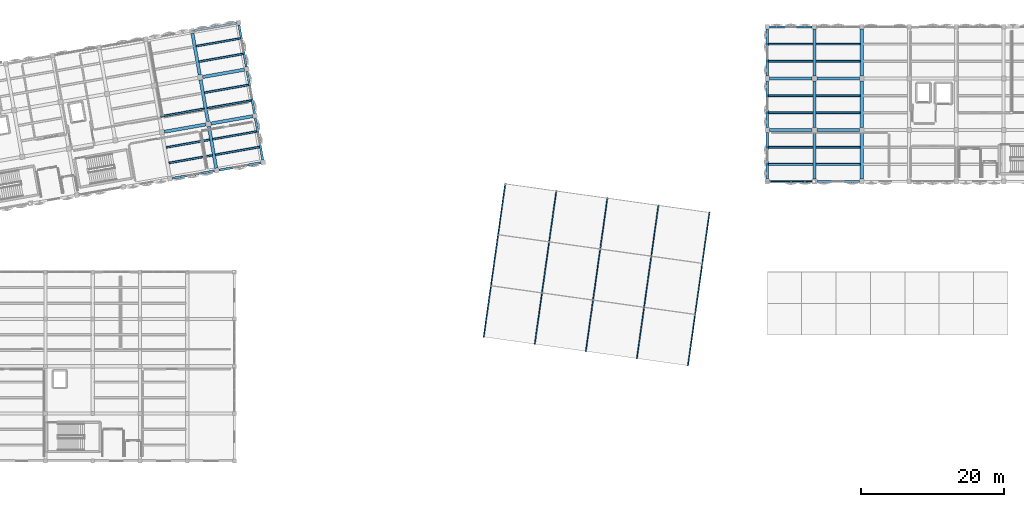
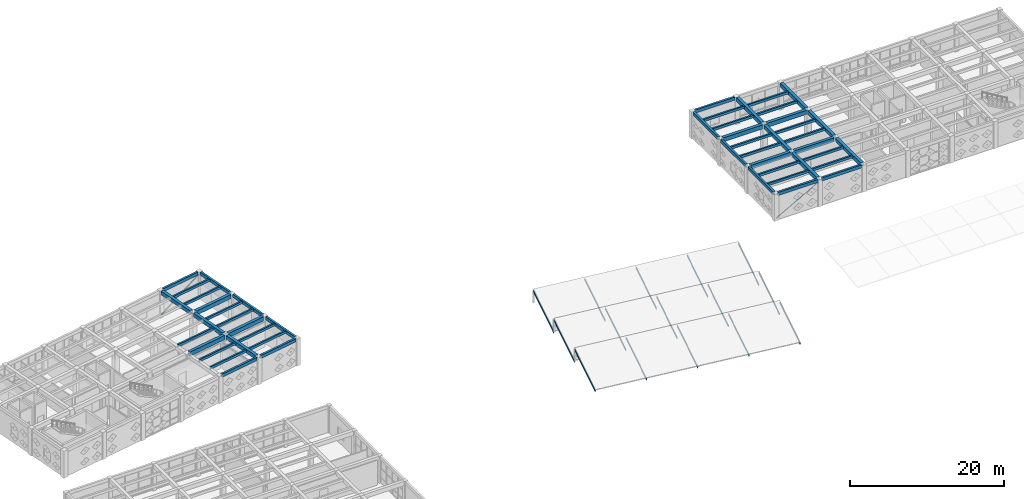
# One storey, part 18 of 48: 49 beams, 17 members.
"""IFC4 building model written with IfcOpenShell, lengths in metres."""

import ifcopenshell
import ifcopenshell.guid

model = None  # the IFC model being written
_history = None  # IfcOwnerHistory: only IFC2X3 demands one
_inside = {}  # id of a spatial element -> (the spatial element, [elements in it])
_under = {}  # id of a project, library or spatial element -> (it, [spatial elements below it])
_declared = {}  # id of a project -> (the project, [libraries it declares])
_typed = {}  # id of a type object -> (the type object, [elements of that type])
_made_of = {}  # id of a material, layer set ... -> (it, [elements and type objects made of it])


def new_model(schema):
    """Start an empty IFC model of exactly this schema.

    Asked for "IFC4X3", IfcOpenShell would pick the latest addendum, in which some entities
    have other attributes; the version numbers below select the first issue.
    IFC2X3 requires an IfcOwnerHistory on every rooted entity: one is made here for all.
    """
    global model, _history
    if schema == "IFC4X3":
        model = ifcopenshell.file(schema_version=(4, 3, 0, 0))
    else:
        model = ifcopenshell.file(schema=schema)
    _inside.clear()
    _under.clear()
    _declared.clear()
    _typed.clear()
    _made_of.clear()
    _history = None
    if model.schema == "IFC2X3":
        org = make("IfcOrganization", Name="unknown")
        user = make(
            "IfcPersonAndOrganization",
            ThePerson=make("IfcPerson", FamilyName="unknown"),
            TheOrganization=org,
        )
        app = make(
            "IfcApplication",
            ApplicationDeveloper=org,
            Version="unknown",
            ApplicationFullName="unknown",
            ApplicationIdentifier="unknown",
        )
        _history = make(
            "IfcOwnerHistory",
            OwningUser=user,
            OwningApplication=app,
            ChangeAction="ADDED",
            CreationDate=0,
        )
    return model


def make(cls, **values):
    """One entity of the class cls with the attributes given. An attribute that is None is left unset."""
    return model.create_entity(
        cls, **{name: value for name, value in values.items() if value is not None}
    )


def rooted(cls, **values):
    """An entity with a GlobalId (a new one), such as an element, a storey or a relation."""
    return make(cls, GlobalId=ifcopenshell.guid.new(), OwnerHistory=_history, **values)


def si_unit(unit_type, name, prefix=None):
    """IfcSIUnit, for example si_unit("LENGTHUNIT", "METRE", prefix="MILLI")."""
    return make("IfcSIUnit", UnitType=unit_type, Prefix=prefix, Name=name)


def assignment(units):
    """IfcUnitAssignment: the units of a project."""
    return None if units is None else make("IfcUnitAssignment", Units=units)


def point(xyz):
    """IfcCartesianPoint."""
    return None if xyz is None else make("IfcCartesianPoint", Coordinates=xyz)


def direction(xyz):
    """IfcDirection."""
    return None if xyz is None else make("IfcDirection", DirectionRatios=xyz)


def frame(location, z_axis=None, x_axis=None):
    """IfcAxis2Placement3D, a coordinate frame: its origin and axes. An axis left out is left unset."""
    return make(
        "IfcAxis2Placement3D",
        Location=point(location),
        Axis=direction(z_axis),
        RefDirection=direction(x_axis),
    )


def frame_2d(location, x_axis=None):
    """IfcAxis2Placement2D, a coordinate frame in the plane: its origin and x axis."""
    return make(
        "IfcAxis2Placement2D", Location=point(location), RefDirection=direction(x_axis)
    )


def origin():
    """The frame at (0, 0, 0) with its axes left unset."""
    return frame((0.0, 0.0, 0.0))


def origin_2d():
    """The frame at (0, 0) in the plane with its x axis left unset."""
    return frame_2d((0.0, 0.0))


def place(relative_to, where):
    """IfcLocalPlacement: puts the frame where relative to a parent placement (None: the world)."""
    return make(
        "IfcLocalPlacement", PlacementRelTo=relative_to, RelativePlacement=where
    )


def context(
    kind, dimensions, precision=None, world=None, true_north=None, identifier=None
):
    """IfcGeometricRepresentationContext, for example the 3D "Model" context."""
    return make(
        "IfcGeometricRepresentationContext",
        ContextIdentifier=identifier,
        ContextType=kind,
        CoordinateSpaceDimension=dimensions,
        Precision=precision,
        WorldCoordinateSystem=world,
        TrueNorth=true_north,
    )


def subcontext(parent, identifier, kind, view, scale=None):
    """IfcGeometricRepresentationSubContext, for example "Body" below "Model"."""
    return make(
        "IfcGeometricRepresentationSubContext",
        ContextIdentifier=identifier,
        ContextType=kind,
        ParentContext=parent,
        TargetScale=scale,
        TargetView=view,
    )


def project(units=None, contexts=None):
    """IfcProject with its units and contexts."""
    return rooted(
        "IfcProject",
        Name="project",
        RepresentationContexts=contexts,
        UnitsInContext=assignment(units),
    )


def spatial(cls, under=None, at=None, **own):
    """A site, building, storey or space (cls), placed at a placement, below another one or the project."""
    s = rooted(cls, ObjectPlacement=at, **own)
    if under is not None:
        _under.setdefault(under.id(), (under, []))[1].append(s)
    return s


def profile(cls, at=None, kind="AREA", **sizes):
    """A parametric profile (cls). Its sizes go by their IFC names, for example OverallWidth=200.0."""
    return make(cls, ProfileType=kind, Position=at, **sizes)


def rectangle(**sizes):
    """IfcRectangleProfileDef."""
    return profile("IfcRectangleProfileDef", **sizes)


def hollow_circle(**sizes):
    """IfcCircleHollowProfileDef."""
    return profile("IfcCircleHollowProfileDef", **sizes)


def i_section(**sizes):
    """IfcIShapeProfileDef."""
    return profile("IfcIShapeProfileDef", **sizes)


def extrude(swept, where, along, depth):
    """IfcExtrudedAreaSolid: the profile swept, set in the frame where, extruded along a direction by depth."""
    return make(
        "IfcExtrudedAreaSolid",
        SweptArea=swept,
        Position=where,
        ExtrudedDirection=direction(along),
        Depth=depth,
    )


def shape(context_of_items, identifier, shape_type, items):
    """IfcShapeRepresentation: the items that make up one representation, for example the "Body"."""
    return make(
        "IfcShapeRepresentation",
        ContextOfItems=context_of_items,
        RepresentationIdentifier=identifier,
        RepresentationType=shape_type,
        Items=items,
    )


def material(Name=None, Category=None):
    """IfcMaterial."""
    return make("IfcMaterial", Name=Name, Category=Category)


def material_profile(
    of_material, cross_section, Name=None, Category=None, Priority=None
):
    """IfcMaterialProfile: a cross section and its material."""
    return make(
        "IfcMaterialProfile",
        Name=Name,
        Material=of_material,
        Profile=cross_section,
        Priority=Priority,
        Category=Category,
    )


def profile_set(profiles, Name=None, composite=None):
    """IfcMaterialProfileSet."""
    return make(
        "IfcMaterialProfileSet",
        Name=Name,
        MaterialProfiles=profiles,
        CompositeProfile=composite,
    )


def made_of(thing, what):
    """Note that an element or type object is made of a material, layer set ...; save() writes the relation."""
    if what is not None:
        _made_of.setdefault(what.id(), (what, []))[1].append(thing)
    return thing


def type_object(cls, material=None, **own):
    """A type object (cls), such as IfcWallType, which elements share."""
    return made_of(rooted(cls, **own), material)


def element(
    cls,
    number,
    at=None,
    inside=None,
    cuts=None,
    type_object=None,
    material=None,
    context=None,
    identifier="Body",
    shape_type=None,
    held_by="IfcProductDefinitionShape",
    body=None,
    shapes=None,
    **own,
):
    """One element of the class cls, such as IfcWall. Its Tag is "e" and its number.

    at: its placement. inside: the storey or other place that contains it. cuts: it is an
    opening in that element (IfcRelVoidsElement). A single representation is given by context,
    identifier, shape_type and body (its items); several are given by shapes. held_by: the class
    of the entity that holds the representations. save() writes the other relations.
    """
    e = rooted(cls, Tag="e%d" % number, ObjectPlacement=at, **own)
    if body is not None:
        shapes = [shape(context, identifier, shape_type, body)]
    if shapes is not None:
        e.Representation = make(held_by, Representations=shapes)
    if inside is not None:
        _inside.setdefault(inside.id(), (inside, []))[1].append(e)
    if cuts is not None:
        rooted(
            "IfcRelVoidsElement", RelatingBuildingElement=cuts, RelatedOpeningElement=e
        )
    if type_object is not None:
        _typed.setdefault(type_object.id(), (type_object, []))[1].append(e)
    return made_of(e, material)


def aggregate(whole, parts):
    """IfcRelAggregates: a whole, such as a stair, and the parts it consists of."""
    return rooted("IfcRelAggregates", RelatingObject=whole, RelatedObjects=parts)


def save(model, path):
    """Write the relations noted so far, then the file.

    IfcRelAggregates (storeys below a building ...), IfcRelContainedInSpatialStructure (elements
    in a storey), IfcRelDefinesByType, IfcRelAssociatesMaterial and IfcRelDeclares: one each for
    every whole, place, type object, material and project.
    """
    for whole, parts in _under.values():
        aggregate(whole, parts)
    for where, things in _inside.values():
        rooted(
            "IfcRelContainedInSpatialStructure",
            RelatedElements=things,
            RelatingStructure=where,
        )
    for kind, things in _typed.values():
        rooted("IfcRelDefinesByType", RelatedObjects=things, RelatingType=kind)
    for what, things in _made_of.values():
        rooted("IfcRelAssociatesMaterial", RelatedObjects=things, RelatingMaterial=what)
    for by, libraries in _declared.values():
        rooted("IfcRelDeclares", RelatingContext=by, RelatedDefinitions=libraries)
    model.write(path)


model = new_model("IFC4")

# Units and contexts
model_context = context("Model", 3, precision=1e-05, world=origin(), true_north=direction((0.0, 1.0)))
body_context = subcontext(model_context, "Body", "Model", "MODEL_VIEW")
ifc_project = project(units=[si_unit("LENGTHUNIT", "METRE"), si_unit("AREAUNIT", "SQUARE_METRE"), si_unit("VOLUMEUNIT", "CUBIC_METRE"), si_unit("PLANEANGLEUNIT", "RADIAN"), si_unit("MASSUNIT", "GRAM", prefix="KILO")], contexts=[model_context])

# Site, building, storey
site_placement = place(None, origin())
site = spatial("IfcSite", under=ifc_project, at=site_placement, CompositionType="ELEMENT")
building_placement = place(site_placement, origin())
building = spatial("IfcBuilding", under=site, at=building_placement, Name="Kharisveld Research Institute", CompositionType="ELEMENT")
storey_placement = place(building_placement, frame((0.0, 0.0, 14.10009765625)))
storey = spatial("IfcBuildingStorey", under=building, at=storey_placement, Name="L03", CompositionType="ELEMENT", Elevation=14.10009765625)

# Beams
ifc_material_1 = material(Name="Concrete C40/50", Category="concrete")
ifc_material_profile_1 = material_profile(ifc_material_1, rectangle(XDim=0.449951171875, YDim=0.60009765625, at=origin_2d()))
ifc_profile_set_1 = profile_set([ifc_material_profile_1], Name="Concrete C40/50")
beam_type_1 = type_object("IfcBeamType", Name="BM_RC_450x600", PredefinedType="BEAM", material=ifc_profile_set_1)
beam_1_placement = place(storey_placement, frame((37.642333984375, 41.060546875, 4.010009765625), z_axis=(-0.173679554678, 0.984802219883, 0.0), x_axis=(-0.984802219883, -0.173679554678, 0.0)))
element("IfcBeam", 1, at=beam_1_placement, inside=storey, type_object=beam_type_1, Name="BM:V1:L03:V5_0", PredefinedType="BEAM", context=body_context, shape_type="SweptSolid", body=[
    extrude(rectangle(XDim=0.449951171875, YDim=0.60009765625, at=origin_2d()), origin(), (0.0, 0.0, 1.0), 5.925048828125),
])
beam_2_placement = place(storey_placement, frame((36.49169921875, 47.584716796875, 4.010009765625), z_axis=(-0.173624815763, 0.98481187206, 0.0), x_axis=(-0.98481187206, -0.173624815763, 0.0)))
element("IfcBeam", 2, at=beam_2_placement, inside=storey, type_object=beam_type_1, Name="BM:V1:L03:V5_1", PredefinedType="BEAM", context=body_context, shape_type="SweptSolid", body=[
    extrude(rectangle(XDim=0.449951171875, YDim=0.60009765625, at=origin_2d()), origin(), (0.0, 0.0, 1.0), 5.900146484375),
])
beam_3_placement = place(storey_placement, frame((35.345703125, 54.08447265625, 4.010009765625), z_axis=(-0.173639592071, 0.984809266846, 0.0), x_axis=(-0.984809266846, -0.173639592071, 0.0)))
element("IfcBeam", 3, at=beam_3_placement, inside=storey, type_object=beam_type_1, Name="BM:V1:L03:V5_2", PredefinedType="BEAM", context=body_context, shape_type="SweptSolid", body=[
    extrude(rectangle(XDim=0.449951171875, YDim=0.60009765625, at=origin_2d()), origin(), (0.0, 0.0, 1.0), 5.925048828125),
])
beam_4_placement = place(storey_placement, frame((121.199951171875, 39.52490234375, 3.989990234375), z_axis=(0.0, 1.0, 0.0), x_axis=(-1.0, 0.0, 0.0)))
element("IfcBeam", 4, at=beam_4_placement, inside=storey, type_object=beam_type_1, Name="BM:V2:L03:V1_0", PredefinedType="BEAM", context=body_context, shape_type="SweptSolid", body=[
    extrude(rectangle(XDim=0.449951171875, YDim=0.60009765625, at=origin_2d()), origin(), (0.0, 0.0, 1.0), 6.550048828125),
])
beam_5_placement = place(storey_placement, frame((121.199951171875, 46.72509765625, 3.989990234375), z_axis=(0.0, 1.0, 0.0), x_axis=(-1.0, 0.0, 0.0)))
element("IfcBeam", 5, at=beam_5_placement, inside=storey, type_object=beam_type_1, Name="BM:V2:L03:V1_1", PredefinedType="BEAM", context=body_context, shape_type="SweptSolid", body=[
    extrude(rectangle(XDim=0.449951171875, YDim=0.60009765625, at=origin_2d()), origin(), (0.0, 0.0, 1.0), 6.5498046875),
])
for number, where, z_axis, x_axis, name in (
    (6, (121.199951171875, 53.925048828125, 3.989990234375), (0.0, 1.0, 0.0), (-1.0, 0.0, 0.0), "BM:V2:L03:V1_2"),
    (7, (127.800048828125, 39.52490234375, 3.989990234375), (0.0, 1.0, 0.0), (-1.0, 0.0, 0.0), "BM:V2:L03:V2_0"),
):
    element("IfcBeam", number, at=place(storey_placement, frame(where, z_axis=z_axis, x_axis=x_axis)), inside=storey, type_object=beam_type_1, Name=name, PredefinedType="BEAM", context=body_context, shape_type="SweptSolid", body=[
        extrude(rectangle(XDim=0.449951171875, YDim=0.60009765625, at=origin_2d()), origin(), (0.0, 0.0, 1.0), 6.550048828125),
    ])
beam_6_placement = place(storey_placement, frame((127.800048828125, 46.72509765625, 3.989990234375), z_axis=(0.0, 1.0, 0.0), x_axis=(-1.0, 0.0, 0.0)))
element("IfcBeam", 8, at=beam_6_placement, inside=storey, type_object=beam_type_1, Name="BM:V2:L03:V2_1", PredefinedType="BEAM", context=body_context, shape_type="SweptSolid", body=[
    extrude(rectangle(XDim=0.449951171875, YDim=0.60009765625, at=origin_2d()), origin(), (0.0, 0.0, 1.0), 6.5498046875),
])
beam_7_placement = place(storey_placement, frame((127.800048828125, 53.925048828125, 3.989990234375), z_axis=(0.0, 1.0, 0.0), x_axis=(-1.0, 0.0, 0.0)))
element("IfcBeam", 9, at=beam_7_placement, inside=storey, type_object=beam_type_1, Name="BM:V2:L03:V2_2", PredefinedType="BEAM", context=body_context, shape_type="SweptSolid", body=[
    extrude(rectangle(XDim=0.449951171875, YDim=0.60009765625, at=origin_2d()), origin(), (0.0, 0.0, 1.0), 6.550048828125),
])
ifc_material_2 = material(Name="Concrete C40/50", Category="concrete")
ifc_material_profile_2 = material_profile(ifc_material_2, rectangle(XDim=0.449951171875, YDim=0.64990234375, at=origin_2d()))
ifc_profile_set_2 = profile_set([ifc_material_profile_2], Name="Concrete C40/50")
beam_type_2 = type_object("IfcBeamType", Name="BM_RC_450x650", PredefinedType="BEAM", material=ifc_profile_set_2)
beam_8_placement = place(storey_placement, frame((30.3974609375, 46.15478515625, 3.98486328125), z_axis=(0.98480479605, 0.173664946598, 0.0), x_axis=(-0.173664946598, 0.98480479605, 0.0)))
element("IfcBeam", 10, at=beam_8_placement, inside=storey, type_object=beam_type_2, Name="BM:V1:L03:U4_1", PredefinedType="BEAM", context=body_context, shape_type="SweptSolid", body=[
    extrude(rectangle(XDim=0.449951171875, YDim=0.64990234375, at=origin_2d()), origin(), (0.0, 0.0, 1.0), 5.900146484375),
])
for number, where, z_axis, x_axis, name in (
    (11, (36.897216796875, 47.30078125, 3.98486328125), (0.984802219883, 0.173679554678, 0.0), (-0.173679554678, 0.984802219883, 0.0), "BM:V1:L03:U5_1"),
    (12, (35.751220703125, 53.800537109375, 3.98486328125), (0.984802219883, 0.173679554678, 0.0), (-0.173679554678, 0.984802219883, 0.0), "BM:V1:L03:U5_2"),
):
    element("IfcBeam", number, at=place(storey_placement, frame(where, z_axis=z_axis, x_axis=x_axis)), inside=storey, type_object=beam_type_2, Name=name, PredefinedType="BEAM", context=body_context, shape_type="SweptSolid", body=[
        extrude(rectangle(XDim=0.449951171875, YDim=0.64990234375, at=origin_2d()), origin(), (0.0, 0.0, 1.0), 5.925048828125),
    ])
beam_9_placement = place(storey_placement, frame((114.925048828125, 46.39990234375, 3.96484375), z_axis=(1.0, 0.0, 0.0), x_axis=(0.0, 1.0, 0.0)))
element("IfcBeam", 13, at=beam_9_placement, inside=storey, type_object=beam_type_2, Name="BM:V2:L03:U0_1", PredefinedType="BEAM", context=body_context, shape_type="SweptSolid", body=[
    extrude(rectangle(XDim=0.449951171875, YDim=0.64990234375, at=origin_2d()), origin(), (0.0, 0.0, 1.0), 5.949951171875),
])
beam_10_placement = place(storey_placement, frame((121.52490234375, 46.39990234375, 3.96484375), z_axis=(1.0, 0.0, 0.0), x_axis=(0.0, 1.0, 0.0)))
element("IfcBeam", 14, at=beam_10_placement, inside=storey, type_object=beam_type_2, Name="BM:V2:L03:U1_1", PredefinedType="BEAM", context=body_context, shape_type="SweptSolid", body=[
    extrude(rectangle(XDim=0.449951171875, YDim=0.64990234375, at=origin_2d()), origin(), (0.0, 0.0, 1.0), 5.9501953125),
])
beam_11_placement = place(storey_placement, frame((114.925048828125, 53.60009765625, 3.96484375), z_axis=(1.0, 0.0, 0.0), x_axis=(0.0, 1.0, 0.0)))
element("IfcBeam", 15, at=beam_11_placement, inside=storey, type_object=beam_type_2, Name="BM:V2:L03:U0_2", PredefinedType="BEAM", context=body_context, shape_type="SweptSolid", body=[
    extrude(rectangle(XDim=0.449951171875, YDim=0.64990234375, at=origin_2d()), origin(), (0.0, 0.0, 1.0), 5.949951171875),
])
beam_12_placement = place(storey_placement, frame((121.52490234375, 53.60009765625, 3.96484375), z_axis=(1.0, 0.0, 0.0), x_axis=(0.0, 1.0, 0.0)))
element("IfcBeam", 16, at=beam_12_placement, inside=storey, type_object=beam_type_2, Name="BM:V2:L03:U1_2", PredefinedType="BEAM", context=body_context, shape_type="SweptSolid", body=[
    extrude(rectangle(XDim=0.449951171875, YDim=0.64990234375, at=origin_2d()), origin(), (0.0, 0.0, 1.0), 5.9501953125),
])

# Members
ifc_material_3 = material(Name="Steel S355J2H", Category="steel")
ifc_material_profile_3 = material_profile(ifc_material_3, hollow_circle(Radius=0.06982421875, WallThickness=0.00634765625, at=origin_2d()))
ifc_profile_set_3 = profile_set([ifc_material_profile_3], Name="Steel S355J2H")
member_type_1 = type_object("IfcMemberType", Name="BR_CHS140", PredefinedType="BRACE", material=ifc_profile_set_3)
member_1_placement = place(storey_placement, frame((114.699951171875, 39.199951171875, 0.199951171875), z_axis=(0.875061115432, 0.0, 0.484012442257), x_axis=(0.0, 1.0, 0.0)))
element("IfcMember", 17, at=member_1_placement, inside=storey, type_object=member_type_1, Name="MEM:V2:L03:BR_0_0", PredefinedType="BRACE", context=body_context, shape_type="SweptSolid", body=[
    extrude(hollow_circle(Radius=0.06982421875, WallThickness=0.00634765625, at=origin_2d()), origin(), (0.0, 0.0, 1.0), 7.31396484375),
])
ifc_material_4 = material(Name="Steel S355J2H", Category="steel")
ifc_material_profile_4 = material_profile(ifc_material_4, hollow_circle(Radius=0.109619140625, WallThickness=0.010009765625, at=origin_2d()))
ifc_profile_set_4 = profile_set([ifc_material_profile_4], Name="Steel S355J2H")
member_type_2 = type_object("IfcMemberType", Name="BR_CHS219", PredefinedType="BRACE", material=ifc_profile_set_4)
member_2_placement = place(storey_placement, frame((34.35888671875, 60.2568359375, 0.199951171875), z_axis=(0.860614431418, 0.151780969408, 0.486112474393), x_axis=(-0.173683053068, 0.984801602901, 0.0)))
element("IfcMember", 18, at=member_2_placement, inside=storey, type_object=member_type_2, Name="MEM:V1:L03:BR_5_3", PredefinedType="BRACE", context=body_context, shape_type="SweptSolid", body=[
    extrude(hollow_circle(Radius=0.109619140625, WallThickness=0.010009765625, at=origin_2d()), origin(), (0.0, 0.0, 1.0), 7.323486328125),
])
ifc_material_5 = material(Name="Steel S355JR", Category="steel")
ifc_material_profile_5 = material_profile(ifc_material_5, i_section(OverallWidth=0.1201171875, OverallDepth=0.239990234375, WebThickness=0.006103515625, FlangeThickness=0.009765625, at=origin_2d()))
ifc_profile_set_5 = profile_set([ifc_material_profile_5], Name="Steel S355JR")
member_type_3 = type_object("IfcMemberType", Name="RF_IPE240", PredefinedType="RAFTER", material=ifc_profile_set_5)
for number, where, z_axis, x_axis, name in (
    (19, (75.0, 17.5, -0.295166015625), (0.134084336603, 0.954142048283, 0.267645927254), (-0.990269725511, 0.139161311926, 0.0), "MEM:V4:L03:RAF_0_0"),
    (20, (82.1298828125, 16.498046875, -0.295166015625), (0.134116420624, 0.954137867941, 0.267644754629), (-0.99026505211, 0.139194563721, 0.0), "MEM:V4:L03:RAF_0_1"),
    (21, (89.259765625, 15.495849609375, -0.295166015625), (0.134116420624, 0.954137867941, 0.267644754629), (-0.99026505211, 0.139194563721, 0.0), "MEM:V4:L03:RAF_0_2"),
    (22, (96.389892578125, 14.493896484375, -0.295166015625), (0.134084336603, 0.954142048283, 0.267645927254), (-0.990269725511, 0.139161311926, 0.0), "MEM:V4:L03:RAF_0_3"),
):
    element("IfcMember", number, at=place(storey_placement, frame(where, z_axis=z_axis, x_axis=x_axis)), inside=storey, type_object=member_type_3, Name=name, PredefinedType="RAFTER", context=body_context, shape_type="SweptSolid", body=[
        extrude(i_section(OverallWidth=0.1201171875, OverallDepth=0.239990234375, WebThickness=0.006103515625, FlangeThickness=0.009765625, at=origin_2d()), origin(), (0.0, 0.0, 1.0), 7.47265625),
    ])
member_3_placement = place(storey_placement, frame((103.519775390625, 13.49169921875, -0.295166015625), z_axis=(0.134080156866, 0.954144975947, 0.267637584077), x_axis=(-0.990270382149, 0.139156639217, 0.0)))
element("IfcMember", 23, at=member_3_placement, inside=storey, type_object=member_type_3, Name="MEM:V4:L03:RAF_0_4", PredefinedType="RAFTER", context=body_context, shape_type="SweptSolid", body=[
    extrude(i_section(OverallWidth=0.1201171875, OverallDepth=0.239990234375, WebThickness=0.006103515625, FlangeThickness=0.009765625, at=origin_2d()), origin(), (0.0, 0.0, 1.0), 7.472900390625),
])
for number, where, z_axis, x_axis, name in (
    (24, (76.001953125, 24.6298828125, -0.295166015625), (0.134116420624, 0.954137867941, 0.267644754629), (-0.99026505211, 0.139194563721, 0.0), "MEM:V4:L03:RAF_1_0"),
    (25, (83.132080078125, 23.6279296875, -0.295166015625), (0.134084336603, 0.954142048283, 0.267645927254), (-0.990269725511, 0.139161311926, 0.0), "MEM:V4:L03:RAF_1_1"),
):
    element("IfcMember", number, at=place(storey_placement, frame(where, z_axis=z_axis, x_axis=x_axis)), inside=storey, type_object=member_type_3, Name=name, PredefinedType="RAFTER", context=body_context, shape_type="SweptSolid", body=[
        extrude(i_section(OverallWidth=0.1201171875, OverallDepth=0.239990234375, WebThickness=0.006103515625, FlangeThickness=0.009765625, at=origin_2d()), origin(), (0.0, 0.0, 1.0), 7.47265625),
    ])
member_4_placement = place(storey_placement, frame((90.261962890625, 22.625732421875, -0.295166015625), z_axis=(0.134080156866, 0.954144975947, 0.267637584077), x_axis=(-0.990270382149, 0.139156639217, 0.0)))
element("IfcMember", 26, at=member_4_placement, inside=storey, type_object=member_type_3, Name="MEM:V4:L03:RAF_1_2", PredefinedType="RAFTER", context=body_context, shape_type="SweptSolid", body=[
    extrude(i_section(OverallWidth=0.1201171875, OverallDepth=0.239990234375, WebThickness=0.006103515625, FlangeThickness=0.009765625, at=origin_2d()), origin(), (0.0, 0.0, 1.0), 7.472900390625),
])
for number, where, z_axis, x_axis, name in (
    (27, (97.391845703125, 21.623779296875, -0.295166015625), (0.134084336603, 0.954142048283, 0.267645927254), (-0.990269725511, 0.139161311926, 0.0), "MEM:V4:L03:RAF_1_3"),
    (28, (104.521728515625, 20.621826171875, -0.295166015625), (0.134116420624, 0.954137867941, 0.267644754629), (-0.99026505211, 0.139194563721, 0.0), "MEM:V4:L03:RAF_1_4"),
):
    element("IfcMember", number, at=place(storey_placement, frame(where, z_axis=z_axis, x_axis=x_axis)), inside=storey, type_object=member_type_3, Name=name, PredefinedType="RAFTER", context=body_context, shape_type="SweptSolid", body=[
        extrude(i_section(OverallWidth=0.1201171875, OverallDepth=0.239990234375, WebThickness=0.006103515625, FlangeThickness=0.009765625, at=origin_2d()), origin(), (0.0, 0.0, 1.0), 7.47265625),
    ])
member_5_placement = place(storey_placement, frame((77.004150390625, 31.759765625, -0.295166015625), z_axis=(0.134080156866, 0.954144975947, 0.267637584077), x_axis=(-0.990270382149, 0.139156639217, 0.0)))
element("IfcMember", 29, at=member_5_placement, inside=storey, type_object=member_type_3, Name="MEM:V4:L03:RAF_2_0", PredefinedType="RAFTER", context=body_context, shape_type="SweptSolid", body=[
    extrude(i_section(OverallWidth=0.1201171875, OverallDepth=0.239990234375, WebThickness=0.006103515625, FlangeThickness=0.009765625, at=origin_2d()), origin(), (0.0, 0.0, 1.0), 7.472900390625),
])
for number, where, z_axis, x_axis, name in (
    (30, (84.134033203125, 30.7578125, -0.295166015625), (0.134084336603, 0.954142048283, 0.267645927254), (-0.990269725511, 0.139161311926, 0.0), "MEM:V4:L03:RAF_2_1"),
    (31, (91.263916015625, 29.755859375, -0.295166015625), (0.134116420624, 0.954137867941, 0.267644754629), (-0.99026505211, 0.139194563721, 0.0), "MEM:V4:L03:RAF_2_2"),
    (32, (98.393798828125, 28.753662109375, -0.295166015625), (0.134116420624, 0.954137867941, 0.267644754629), (-0.99026505211, 0.139194563721, 0.0), "MEM:V4:L03:RAF_2_3"),
    (33, (105.52392578125, 27.751708984375, -0.295166015625), (0.134084336603, 0.954142048283, 0.267645927254), (-0.990269725511, 0.139161311926, 0.0), "MEM:V4:L03:RAF_2_4"),
):
    element("IfcMember", number, at=place(storey_placement, frame(where, z_axis=z_axis, x_axis=x_axis)), inside=storey, type_object=member_type_3, Name=name, PredefinedType="RAFTER", context=body_context, shape_type="SweptSolid", body=[
        extrude(i_section(OverallWidth=0.1201171875, OverallDepth=0.239990234375, WebThickness=0.006103515625, FlangeThickness=0.009765625, at=origin_2d()), origin(), (0.0, 0.0, 1.0), 7.47265625),
    ])

# Beams
ifc_material_6 = material(Name="Concrete C40/50", Category="concrete")
ifc_material_profile_6 = material_profile(ifc_material_6, rectangle(XDim=0.300048828125, YDim=0.5, at=origin_2d()))
ifc_profile_set_6 = profile_set([ifc_material_profile_6], Name="Concrete C40/50")
beam_type_3 = type_object("IfcBeamType", Name="SP_RC_300x500", PredefinedType="SPANDREL", material=ifc_profile_set_6)
for number, where, z_axis, x_axis, name in (
    (34, (31.51904296875, 39.650634765625, 4.059814453125), (0.984807920462, 0.173647228007, 0.0), (-0.173647228007, 0.984807920462, 0.0), "BM:V1:L03:U4_0"),
    (35, (38.018798828125, 40.796875, 4.059814453125), (0.984807920462, 0.173647228007, 0.0), (-0.173647228007, 0.984807920462, 0.0), "BM:V1:L03:U5_0"),
    (36, (34.58056640625, 60.2958984375, 4.059814453125), (0.984800902868, 0.173687022284, 0.0), (-0.173687022284, 0.984800902868, 0.0), "BM:V1:L03:U5_3"),
    (37, (44.141845703125, 42.20654296875, 4.059814453125), (-0.173647228007, 0.984807920462, 0.0), (-0.984807920462, -0.173647228007, 0.0), "BM:V1:L03:V6_0"),
    (38, (42.995849609375, 48.706298828125, 4.059814453125), (-0.173647228007, 0.984807920462, 0.0), (-0.984807920462, -0.173647228007, 0.0), "BM:V1:L03:V6_1"),
    (39, (41.849853515625, 55.2060546875, 4.059814453125), (-0.173647228007, 0.984807920462, 0.0), (-0.984807920462, -0.173647228007, 0.0), "BM:V1:L03:V6_2"),
    (40, (114.925048828125, 39.199951171875, 4.039794921875), (1.0, 0.0, 0.0), (0.0, 1.0, 0.0), "BM:V2:L03:U0_0"),
):
    element("IfcBeam", number, at=place(storey_placement, frame(where, z_axis=z_axis, x_axis=x_axis)), inside=storey, type_object=beam_type_3, Name=name, PredefinedType="SPANDREL", context=body_context, shape_type="SweptSolid", body=[
        extrude(rectangle(XDim=0.300048828125, YDim=0.5, at=origin_2d()), origin(), (0.0, 0.0, 1.0), 5.949951171875),
    ])
beam_13_placement = place(storey_placement, frame((121.52490234375, 39.199951171875, 4.039794921875), z_axis=(1.0, 0.0, 0.0), x_axis=(0.0, 1.0, 0.0)))
element("IfcBeam", 41, at=beam_13_placement, inside=storey, type_object=beam_type_3, Name="BM:V2:L03:U1_0", PredefinedType="SPANDREL", context=body_context, shape_type="SweptSolid", body=[
    extrude(rectangle(XDim=0.300048828125, YDim=0.5, at=origin_2d()), origin(), (0.0, 0.0, 1.0), 5.9501953125),
])
beam_14_placement = place(storey_placement, frame((114.925048828125, 60.800048828125, 4.039794921875), z_axis=(1.0, 0.0, 0.0), x_axis=(0.0, 1.0, 0.0)))
element("IfcBeam", 42, at=beam_14_placement, inside=storey, type_object=beam_type_3, Name="BM:V2:L03:U0_3", PredefinedType="SPANDREL", context=body_context, shape_type="SweptSolid", body=[
    extrude(rectangle(XDim=0.300048828125, YDim=0.5, at=origin_2d()), origin(), (0.0, 0.0, 1.0), 5.949951171875),
])
beam_15_placement = place(storey_placement, frame((114.60009765625, 39.52490234375, 4.039794921875), z_axis=(0.0, 1.0, 0.0), x_axis=(-1.0, 0.0, 0.0)))
element("IfcBeam", 43, at=beam_15_placement, inside=storey, type_object=beam_type_3, Name="BM:V2:L03:V0_0", PredefinedType="SPANDREL", context=body_context, shape_type="SweptSolid", body=[
    extrude(rectangle(XDim=0.300048828125, YDim=0.5, at=origin_2d()), origin(), (0.0, 0.0, 1.0), 6.550048828125),
])
beam_16_placement = place(storey_placement, frame((114.60009765625, 46.72509765625, 4.039794921875), z_axis=(0.0, 1.0, 0.0), x_axis=(-1.0, 0.0, 0.0)))
element("IfcBeam", 44, at=beam_16_placement, inside=storey, type_object=beam_type_3, Name="BM:V2:L03:V0_1", PredefinedType="SPANDREL", context=body_context, shape_type="SweptSolid", body=[
    extrude(rectangle(XDim=0.300048828125, YDim=0.5, at=origin_2d()), origin(), (0.0, 0.0, 1.0), 6.5498046875),
])
beam_17_placement = place(storey_placement, frame((114.60009765625, 53.925048828125, 4.039794921875), z_axis=(0.0, 1.0, 0.0), x_axis=(-1.0, 0.0, 0.0)))
element("IfcBeam", 45, at=beam_17_placement, inside=storey, type_object=beam_type_3, Name="BM:V2:L03:V0_2", PredefinedType="SPANDREL", context=body_context, shape_type="SweptSolid", body=[
    extrude(rectangle(XDim=0.300048828125, YDim=0.5, at=origin_2d()), origin(), (0.0, 0.0, 1.0), 6.550048828125),
])
ifc_material_7 = material(Name="Concrete C40/50", Category="concrete")
ifc_material_profile_7 = material_profile(ifc_material_7, rectangle(XDim=0.25, YDim=0.39990234375, at=origin_2d()))
ifc_profile_set_7 = profile_set([ifc_material_profile_7], Name="Concrete C40/50")
beam_type_4 = type_object("IfcBeamType", Name="WB_RC_250x400", PredefinedType="JOIST", material=ifc_profile_set_7)
beam_18_placement = place(storey_placement, frame((31.03857421875, 41.800048828125, 4.10986328125), z_axis=(0.984808726596, 0.17364265611, 0.0), x_axis=(-0.17364265611, 0.984808726596, 0.0)))
element("IfcBeam", 46, at=beam_18_placement, inside=storey, type_object=beam_type_4, Name="BM:V1:L03:J_4_0_R1", PredefinedType="JOIST", context=body_context, shape_type="SweptSolid", body=[
    extrude(rectangle(XDim=0.25, YDim=0.39990234375, at=origin_2d()), origin(), (0.0, 0.0, 1.0), 6.14990234375),
])
for number, where, z_axis, x_axis, name in (
    (47, (30.656494140625, 43.966552734375, 4.10986328125), (0.984809923515, 0.173635867682, 0.0), (-0.173635867682, 0.984809923515, 0.0), "BM:V1:L03:J_4_0_R2"),
    (48, (29.892333984375, 48.2998046875, 4.10986328125), (0.984809923515, 0.173635867682, 0.0), (-0.173635867682, 0.984809923515, 0.0), "BM:V1:L03:J_4_1_R1"),
):
    element("IfcBeam", number, at=place(storey_placement, frame(where, z_axis=z_axis, x_axis=x_axis)), inside=storey, type_object=beam_type_4, Name=name, PredefinedType="JOIST", context=body_context, shape_type="SweptSolid", body=[
        extrude(rectangle(XDim=0.25, YDim=0.39990234375, at=origin_2d()), origin(), (0.0, 0.0, 1.0), 6.150146484375),
    ])
for number, where, z_axis, x_axis, name in (
    (49, (37.538330078125, 42.946044921875, 4.10986328125), (0.984804872144, 0.173664515088, 0.0), (-0.173664515088, 0.984804872144, 0.0), "BM:V1:L03:J_5_0_R1"),
    (50, (37.15625, 45.112548828125, 4.10986328125), (0.984804872144, 0.173664515088, 0.0), (-0.173664515088, 0.984804872144, 0.0), "BM:V1:L03:J_5_0_R2"),
    (51, (36.39208984375, 49.44580078125, 4.10986328125), (0.984811579018, 0.17362647791, 0.0), (-0.17362647791, 0.984811579018, 0.0), "BM:V1:L03:J_5_1_R1"),
):
    element("IfcBeam", number, at=place(storey_placement, frame(where, z_axis=z_axis, x_axis=x_axis)), inside=storey, type_object=beam_type_4, Name=name, PredefinedType="JOIST", context=body_context, shape_type="SweptSolid", body=[
        extrude(rectangle(XDim=0.25, YDim=0.39990234375, at=origin_2d()), origin(), (0.0, 0.0, 1.0), 6.224853515625),
    ])
beam_19_placement = place(storey_placement, frame((36.010009765625, 51.6123046875, 4.10986328125), z_axis=(0.984806054915, 0.17365780778, 0.0), x_axis=(-0.17365780778, 0.984806054915, 0.0)))
element("IfcBeam", 52, at=beam_19_placement, inside=storey, type_object=beam_type_4, Name="BM:V1:L03:J_5_1_R2", PredefinedType="JOIST", context=body_context, shape_type="SweptSolid", body=[
    extrude(rectangle(XDim=0.25, YDim=0.39990234375, at=origin_2d()), origin(), (0.0, 0.0, 1.0), 6.22509765625),
])
for number, where, z_axis, x_axis, name in (
    (53, (35.24609375, 55.945556640625, 4.10986328125), (0.984811579018, 0.17362647791, 0.0), (-0.17362647791, 0.984811579018, 0.0), "BM:V1:L03:J_5_2_R1"),
    (54, (34.864013671875, 58.112060546875, 4.10986328125), (0.984804872144, 0.173664515088, 0.0), (-0.173664515088, 0.984804872144, 0.0), "BM:V1:L03:J_5_2_R2"),
):
    element("IfcBeam", number, at=place(storey_placement, frame(where, z_axis=z_axis, x_axis=x_axis)), inside=storey, type_object=beam_type_4, Name=name, PredefinedType="JOIST", context=body_context, shape_type="SweptSolid", body=[
        extrude(rectangle(XDim=0.25, YDim=0.39990234375, at=origin_2d()), origin(), (0.0, 0.0, 1.0), 6.224853515625),
    ])
for number, where, z_axis, x_axis, name in (
    (55, (114.75, 41.60009765625, 4.08984375), (1.0, 0.0, 0.0), (0.0, 1.0, 0.0), "BM:V2:L03:J_0_0_R1"),
    (56, (114.75, 44.0, 4.08984375), (1.0, 0.0, 0.0), (0.0, 1.0, 0.0), "BM:V2:L03:J_0_0_R2"),
    (57, (114.75, 48.800048828125, 4.08984375), (1.0, 0.0, 0.0), (0.0, 1.0, 0.0), "BM:V2:L03:J_0_1_R1"),
    (58, (114.75, 51.199951171875, 4.08984375), (1.0, 0.0, 0.0), (0.0, 1.0, 0.0), "BM:V2:L03:J_0_1_R2"),
    (59, (114.75, 56.0, 4.08984375), (1.0, 0.0, 0.0), (0.0, 1.0, 0.0), "BM:V2:L03:J_0_2_R1"),
    (60, (114.75, 58.39990234375, 4.08984375), (1.0, 0.0, 0.0), (0.0, 1.0, 0.0), "BM:V2:L03:J_0_2_R2"),
):
    element("IfcBeam", number, at=place(storey_placement, frame(where, z_axis=z_axis, x_axis=x_axis)), inside=storey, type_object=beam_type_4, Name=name, PredefinedType="JOIST", context=body_context, shape_type="SweptSolid", body=[
        extrude(rectangle(XDim=0.25, YDim=0.39990234375, at=origin_2d()), origin(), (0.0, 0.0, 1.0), 6.22509765625),
    ])
for number, where, z_axis, x_axis, name in (
    (61, (121.425048828125, 41.60009765625, 4.08984375), (1.0, 0.0, 0.0), (0.0, 1.0, 0.0), "BM:V2:L03:J_1_0_R1"),
    (62, (121.425048828125, 44.0, 4.08984375), (1.0, 0.0, 0.0), (0.0, 1.0, 0.0), "BM:V2:L03:J_1_0_R2"),
    (63, (121.425048828125, 48.800048828125, 4.08984375), (1.0, 0.0, 0.0), (0.0, 1.0, 0.0), "BM:V2:L03:J_1_1_R1"),
    (64, (121.425048828125, 51.199951171875, 4.08984375), (1.0, 0.0, 0.0), (0.0, 1.0, 0.0), "BM:V2:L03:J_1_1_R2"),
    (65, (121.425048828125, 56.0, 4.08984375), (1.0, 0.0, 0.0), (0.0, 1.0, 0.0), "BM:V2:L03:J_1_2_R1"),
    (66, (121.425048828125, 58.39990234375, 4.08984375), (1.0, 0.0, 0.0), (0.0, 1.0, 0.0), "BM:V2:L03:J_1_2_R2"),
):
    element("IfcBeam", number, at=place(storey_placement, frame(where, z_axis=z_axis, x_axis=x_axis)), inside=storey, type_object=beam_type_4, Name=name, PredefinedType="JOIST", context=body_context, shape_type="SweptSolid", body=[
        extrude(rectangle(XDim=0.25, YDim=0.39990234375, at=origin_2d()), origin(), (0.0, 0.0, 1.0), 6.14990234375),
    ])

save(model, "model.ifc")
